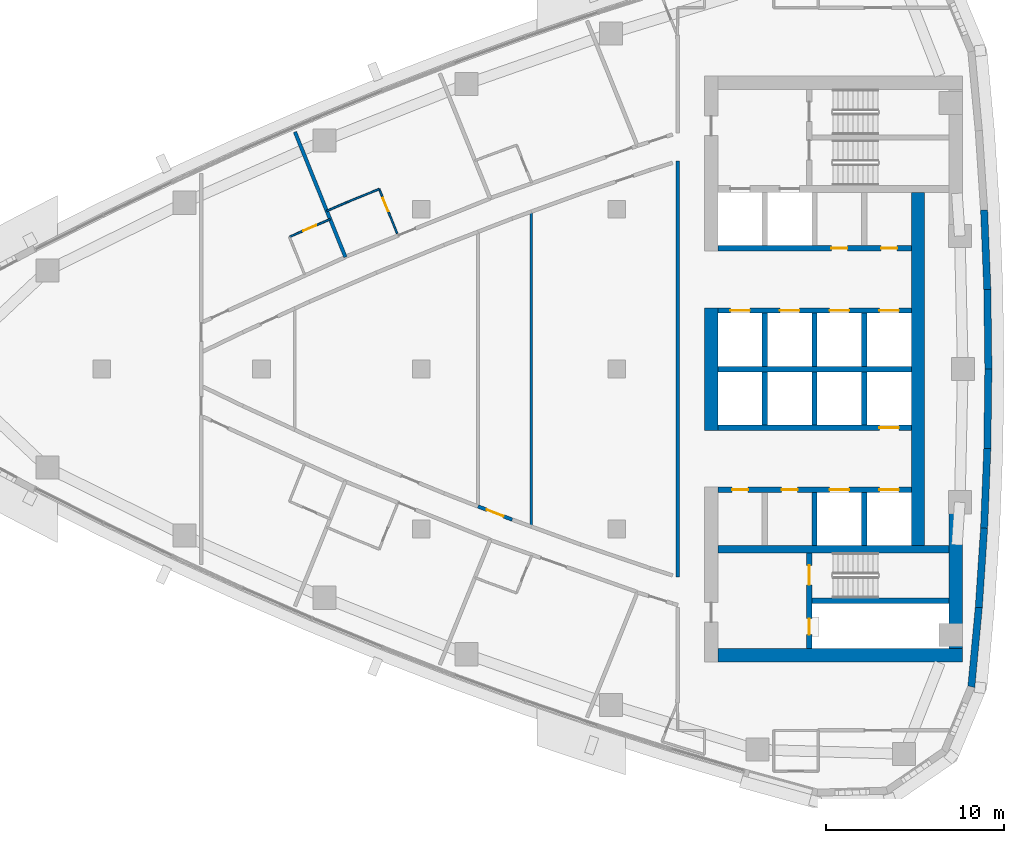
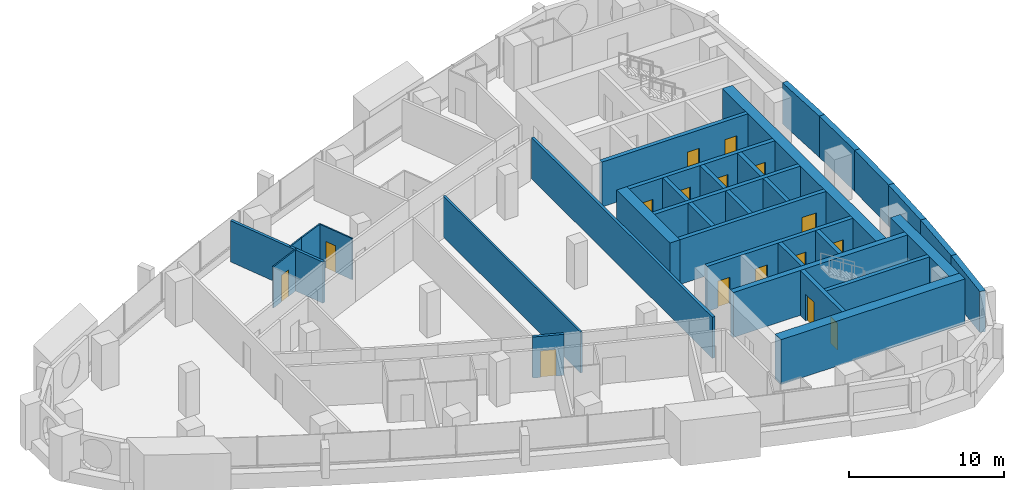
# One storey, part 11 of 17: 34 walls, 16 doors, 16 openings.
"""IFC4 building model written with IfcOpenShell, lengths in metres."""

from ifc_helpers import new_model, si_unit, direction, frame, frame_2d, origin, place, context, subcontext, project, spatial, polyline, rectangle, outline, extrude, material, layer, layer_set, type_object, element, fill, save


model = new_model("IFC4")

# Units and contexts
model_context = context("Model", 3, precision=1e-05, world=origin(), true_north=direction((0.0, 1.0)))
body_context = subcontext(model_context, "Body", "Model", "MODEL_VIEW")
ifc_project = project(units=[si_unit("LENGTHUNIT", "METRE"), si_unit("AREAUNIT", "SQUARE_METRE"), si_unit("VOLUMEUNIT", "CUBIC_METRE"), si_unit("PLANEANGLEUNIT", "RADIAN"), si_unit("MASSUNIT", "GRAM", prefix="KILO")], contexts=[model_context])

# Site, building, storey
site_placement = place(None, origin())
site = spatial("IfcSite", under=ifc_project, at=site_placement, CompositionType="ELEMENT")
building_placement = place(site_placement, origin())
building = spatial("IfcBuilding", under=site, at=building_placement, Name="Ostrand Prow Hotel Tower", CompositionType="ELEMENT")
storey_placement = place(building_placement, frame((0.0, 0.0, 193.25)))
storey = spatial("IfcBuildingStorey", under=building, at=storey_placement, Name="L48", CompositionType="ELEMENT", Elevation=193.25)

# Wall
ifc_material_1 = material(Name="Concrete C60/75", Category="concrete")
ifc_layer_1 = layer(ifc_material_1, 0.300048828125)
ifc_layer_set_1 = layer_set([ifc_layer_1], Name="Concrete C60/75")
wall_type_1 = type_object("IfcWallType", Name="Core wall 300 C60/75", PredefinedType="SHEAR", material=ifc_layer_set_1)
wall_1_placement = place(storey_placement, frame((50.699951171875, 0.0, 0.0), z_axis=(0.0, 0.0, 1.0), x_axis=(1.0, 0.0, 0.0)))
element("IfcWall", 1, at=wall_1_placement, inside=storey, type_object=wall_type_1, Name="Core wall PW-C", PredefinedType="SHEAR", context=body_context, shape_type="SweptSolid", body=[
    extrude(rectangle(XDim=10.900146484375, YDim=0.300048828125, at=frame_2d((5.4501953125, 0.0))), origin(), (0.0, 0.0, 1.0), 3.550048828125),
])

# Wall, openings, doors
wall_2_placement = place(storey_placement, frame((50.699951171875, 3.300048828125, 0.0), z_axis=(0.0, 0.0, 1.0), x_axis=(1.0, 0.0, 0.0)))
wall_2 = element("IfcWall", 2, at=wall_2_placement, inside=storey, type_object=wall_type_1, Name="Core wall PW-L1-N", PredefinedType="SHEAR", context=body_context, shape_type="SweptSolid", body=[
    extrude(rectangle(XDim=10.900146484375, YDim=0.300048828125, at=frame_2d((5.4501953125, 0.0))), origin(), (0.0, 0.0, 1.0), 3.550048828125),
])
opening_1_placement = place(wall_2_placement, frame((0.699951171875, 0.0, 0.0)))
opening_1 = element("IfcOpeningElement", 3, at=opening_1_placement, cuts=wall_2, Name="Opening LD", PredefinedType="OPENING", context=body_context, shape_type="SweptSolid", body=[
    extrude(rectangle(XDim=1.10009765625, YDim=2.10009765625, at=frame_2d((0.550048828125, 1.050048828125))), frame((0.0, 0.159912109375, 0.0), z_axis=(0.0, -1.0, 0.0), x_axis=(1.0, 0.0, 0.0)), (0.0, 0.0, 1.0), 0.320068359375),
])
opening_2_placement = place(wall_2_placement, frame((3.5, 0.0, 0.0)))
opening_2 = element("IfcOpeningElement", 4, at=opening_2_placement, cuts=wall_2, Name="Opening LD", PredefinedType="OPENING", context=body_context, shape_type="SweptSolid", body=[
    extrude(rectangle(XDim=1.10009765625, YDim=2.10009765625, at=frame_2d((0.550048828125, 1.050048828125))), frame((0.0, 0.159912109375, 0.0), z_axis=(0.0, -1.0, 0.0), x_axis=(1.0, 0.0, 0.0)), (0.0, 0.0, 1.0), 0.320068359375),
])
opening_3_placement = place(wall_2_placement, frame((6.300048828125, 0.0, 0.0)))
opening_3 = element("IfcOpeningElement", 5, at=opening_3_placement, cuts=wall_2, Name="Opening LD", PredefinedType="OPENING", context=body_context, shape_type="SweptSolid", body=[
    extrude(rectangle(XDim=1.10009765625, YDim=2.10009765625, at=frame_2d((0.550048828125, 1.050048828125))), frame((0.0, 0.159912109375, 0.0), z_axis=(0.0, -1.0, 0.0), x_axis=(1.0, 0.0, 0.0)), (0.0, 0.0, 1.0), 0.320068359375),
])
opening_4_placement = place(wall_2_placement, frame((9.10009765625, 0.0, 0.0)))
opening_4 = element("IfcOpeningElement", 6, at=opening_4_placement, cuts=wall_2, Name="Opening LD", PredefinedType="OPENING", context=body_context, shape_type="SweptSolid", body=[
    extrude(rectangle(XDim=1.10009765625, YDim=2.10009765625, at=frame_2d((0.550048828125, 1.050048828125))), frame((0.0, 0.159912109375, 0.0), z_axis=(0.0, -1.0, 0.0), x_axis=(1.0, 0.0, 0.0)), (0.0, 0.0, 1.0), 0.320068359375),
])
ifc_material_2 = material(Name="Stainless steel door", Category="steel")
door_type_1 = type_object("IfcDoorType", Name="Lift landing door 1100", OperationType="DOUBLE_DOOR_SLIDING", PredefinedType="DOOR", material=ifc_material_2)
door_1_placement = place(opening_1_placement, origin())
door_1 = element("IfcDoor", 7, at=door_1_placement, inside=storey, type_object=door_type_1, Name="LIFT LANDING DOOR", OperationType="DOUBLE_DOOR_SLIDING", OverallHeight=2.10009765625, OverallWidth=1.10009765625, PredefinedType="DOOR", context=body_context, shape_type="SweptSolid", body=[
    extrude(rectangle(XDim=1.10009765625, YDim=2.10009765625, at=frame_2d((0.550048828125, 1.050048828125))), frame((0.0, 0.02490234375, 0.0), z_axis=(0.0, -1.0, 0.0), x_axis=(1.0, 0.0, 0.0)), (0.0, 0.0, 1.0), 0.050048828125),
])
fill(opening_1, door_1)
door_2_placement = place(opening_2_placement, origin())
door_2 = element("IfcDoor", 8, at=door_2_placement, inside=storey, type_object=door_type_1, Name="LIFT LANDING DOOR", OperationType="DOUBLE_DOOR_SLIDING", OverallHeight=2.10009765625, OverallWidth=1.10009765625, PredefinedType="DOOR", context=body_context, shape_type="SweptSolid", body=[
    extrude(rectangle(XDim=1.10009765625, YDim=2.10009765625, at=frame_2d((0.550048828125, 1.050048828125))), frame((0.0, 0.02490234375, 0.0), z_axis=(0.0, -1.0, 0.0), x_axis=(1.0, 0.0, 0.0)), (0.0, 0.0, 1.0), 0.050048828125),
])
fill(opening_2, door_2)
door_3_placement = place(opening_3_placement, origin())
door_3 = element("IfcDoor", 9, at=door_3_placement, inside=storey, type_object=door_type_1, Name="LIFT LANDING DOOR", OperationType="DOUBLE_DOOR_SLIDING", OverallHeight=2.10009765625, OverallWidth=1.10009765625, PredefinedType="DOOR", context=body_context, shape_type="SweptSolid", body=[
    extrude(rectangle(XDim=1.10009765625, YDim=2.10009765625, at=frame_2d((0.550048828125, 1.050048828125))), frame((0.0, 0.02490234375, 0.0), z_axis=(0.0, -1.0, 0.0), x_axis=(1.0, 0.0, 0.0)), (0.0, 0.0, 1.0), 0.050048828125),
])
fill(opening_3, door_3)
door_4_placement = place(opening_4_placement, origin())
door_4 = element("IfcDoor", 10, at=door_4_placement, inside=storey, type_object=door_type_1, Name="LIFT LANDING DOOR", OperationType="DOUBLE_DOOR_SLIDING", OverallHeight=2.10009765625, OverallWidth=1.10009765625, PredefinedType="DOOR", context=body_context, shape_type="SweptSolid", body=[
    extrude(rectangle(XDim=1.10009765625, YDim=2.10009765625, at=frame_2d((0.550048828125, 1.050048828125))), frame((0.0, 0.02490234375, 0.0), z_axis=(0.0, -1.0, 0.0), x_axis=(1.0, 0.0, 0.0)), (0.0, 0.0, 1.0), 0.050048828125),
])
fill(opening_4, door_4)

wall_3_placement = place(storey_placement, frame((50.699951171875, 6.800048828125, 0.0), z_axis=(0.0, 0.0, 1.0), x_axis=(1.0, 0.0, 0.0)))
wall_3 = element("IfcWall", 11, at=wall_3_placement, inside=storey, type_object=wall_type_1, Name="Core wall PW-L2-N", PredefinedType="SHEAR", context=body_context, shape_type="SweptSolid", body=[
    extrude(rectangle(XDim=10.900146484375, YDim=0.300048828125, at=frame_2d((5.4501953125, 0.0))), origin(), (0.0, 0.0, 1.0), 3.550048828125),
])
opening_5_placement = place(wall_3_placement, frame((6.39990234375, 0.0, 0.0)))
opening_5 = element("IfcOpeningElement", 12, at=opening_5_placement, cuts=wall_3, Name="Opening FD2", PredefinedType="OPENING", context=body_context, shape_type="SweptSolid", body=[
    extrude(rectangle(XDim=0.89990234375, YDim=2.10009765625, at=frame_2d((0.449951171875, 1.050048828125))), frame((0.0, 0.159912109375, 0.0), z_axis=(0.0, -1.0, 0.0), x_axis=(1.0, 0.0, 0.0)), (0.0, 0.0, 1.0), 0.320068359375),
])
opening_6_placement = place(wall_3_placement, frame((9.199951171875, 0.0, 0.0)))
opening_6 = element("IfcOpeningElement", 13, at=opening_6_placement, cuts=wall_3, Name="Opening FD2", PredefinedType="OPENING", context=body_context, shape_type="SweptSolid", body=[
    extrude(rectangle(XDim=0.89990234375, YDim=2.10009765625, at=frame_2d((0.449951171875, 1.050048828125))), frame((0.0, 0.159912109375, 0.0), z_axis=(0.0, -1.0, 0.0), x_axis=(1.0, 0.0, 0.0)), (0.0, 0.0, 1.0), 0.320068359375),
])
ifc_material_3 = material(Name="Steel fire door", Category="steel")
door_type_2 = type_object("IfcDoorType", Name="Fire door 900 EI120", OperationType="SINGLE_SWING_LEFT", PredefinedType="DOOR", material=ifc_material_3)
door_5_placement = place(opening_5_placement, origin())
door_5 = element("IfcDoor", 14, at=door_5_placement, inside=storey, type_object=door_type_2, Name="DOOR", OperationType="SINGLE_SWING_LEFT", OverallHeight=2.10009765625, OverallWidth=0.89990234375, PredefinedType="DOOR", context=body_context, shape_type="SweptSolid", body=[
    extrude(rectangle(XDim=0.89990234375, YDim=2.10009765625, at=frame_2d((0.449951171875, 1.050048828125))), frame((0.0, 0.02490234375, 0.0), z_axis=(0.0, -1.0, 0.0), x_axis=(1.0, 0.0, 0.0)), (0.0, 0.0, 1.0), 0.050048828125),
])
fill(opening_5, door_5)
door_6_placement = place(opening_6_placement, origin())
door_6 = element("IfcDoor", 15, at=door_6_placement, inside=storey, type_object=door_type_2, Name="DOOR", OperationType="SINGLE_SWING_LEFT", OverallHeight=2.10009765625, OverallWidth=0.89990234375, PredefinedType="DOOR", context=body_context, shape_type="SweptSolid", body=[
    extrude(rectangle(XDim=0.89990234375, YDim=2.10009765625, at=frame_2d((0.449951171875, 1.050048828125))), frame((0.0, 0.02490234375, 0.0), z_axis=(0.0, -1.0, 0.0), x_axis=(1.0, 0.0, 0.0)), (0.0, 0.0, 1.0), 0.050048828125),
])
fill(opening_6, door_6)

# Walls
for number, where, z_axis, x_axis, name in (
    (16, (53.35009765625, 0.14990234375, 0.0), (0.0, 0.0, 1.0), (0.0, 1.0, 0.0), "Core wall PW-R1-NB"),
    (17, (56.14990234375, 0.14990234375, 0.0), (0.0, 0.0, 1.0), (0.0, 1.0, 0.0), "Core wall PW-R2-NB"),
    (18, (58.949951171875, 0.14990234375, 0.0), (0.0, 0.0, 1.0), (0.0, 1.0, 0.0), "Core wall PW-R3-NB"),
):
    element("IfcWall", number, at=place(storey_placement, frame(where, z_axis=z_axis, x_axis=x_axis)), inside=storey, type_object=wall_type_1, Name=name, PredefinedType="SHEAR", context=body_context, shape_type="SweptSolid", body=[
        extrude(rectangle(XDim=3.0, YDim=0.300048828125, at=frame_2d((1.5, 0.0))), origin(), (0.0, 0.0, 1.0), 3.550048828125),
    ])

# Wall, opening, door
wall_4_placement = place(storey_placement, frame((50.699951171875, -3.300048828125, 0.0), z_axis=(0.0, 0.0, 1.0), x_axis=(1.0, 0.0, 0.0)))
wall_4 = element("IfcWall", 19, at=wall_4_placement, inside=storey, type_object=wall_type_1, Name="Core wall PW-L1-S", PredefinedType="SHEAR", context=body_context, shape_type="SweptSolid", body=[
    extrude(rectangle(XDim=10.900146484375, YDim=0.300048828125, at=frame_2d((5.4501953125, 0.0))), origin(), (0.0, 0.0, 1.0), 3.550048828125),
])
opening_7_placement = place(wall_4_placement, frame((9.10009765625, 0.0, 0.0)))
opening_7 = element("IfcOpeningElement", 20, at=opening_7_placement, cuts=wall_4, Name="Opening LD", PredefinedType="OPENING", context=body_context, shape_type="SweptSolid", body=[
    extrude(rectangle(XDim=1.10009765625, YDim=2.10009765625, at=frame_2d((0.550048828125, 1.050048828125))), frame((0.0, 0.159912109375, 0.0), z_axis=(0.0, -1.0, 0.0), x_axis=(1.0, 0.0, 0.0)), (0.0, 0.0, 1.0), 0.320068359375),
])
door_7_placement = place(opening_7_placement, origin())
door_7 = element("IfcDoor", 21, at=door_7_placement, inside=storey, type_object=door_type_1, Name="LIFT LANDING DOOR", OperationType="DOUBLE_DOOR_SLIDING", OverallHeight=2.10009765625, OverallWidth=1.10009765625, PredefinedType="DOOR", context=body_context, shape_type="SweptSolid", body=[
    extrude(rectangle(XDim=1.10009765625, YDim=2.10009765625, at=frame_2d((0.550048828125, 1.050048828125))), frame((0.0, 0.02490234375, 0.0), z_axis=(0.0, -1.0, 0.0), x_axis=(1.0, 0.0, 0.0)), (0.0, 0.0, 1.0), 0.050048828125),
])
fill(opening_7, door_7)

# Wall, openings, doors
wall_5_placement = place(storey_placement, frame((50.699951171875, -6.800048828125, 0.0), z_axis=(0.0, 0.0, 1.0), x_axis=(1.0, 0.0, 0.0)))
wall_5 = element("IfcWall", 22, at=wall_5_placement, inside=storey, type_object=wall_type_1, Name="Core wall PW-L2-S", PredefinedType="SHEAR", context=body_context, shape_type="SweptSolid", body=[
    extrude(rectangle(XDim=10.900146484375, YDim=0.300048828125, at=frame_2d((5.4501953125, 0.0))), origin(), (0.0, 0.0, 1.0), 3.550048828125),
])
opening_8_placement = place(wall_5_placement, frame((6.300048828125, 0.0, 0.0)))
opening_8 = element("IfcOpeningElement", 23, at=opening_8_placement, cuts=wall_5, Name="Opening LD", PredefinedType="OPENING", context=body_context, shape_type="SweptSolid", body=[
    extrude(rectangle(XDim=1.10009765625, YDim=2.10009765625, at=frame_2d((0.550048828125, 1.050048828125))), frame((0.0, 0.159912109375, 0.0), z_axis=(0.0, -1.0, 0.0), x_axis=(1.0, 0.0, 0.0)), (0.0, 0.0, 1.0), 0.320068359375),
])
opening_9_placement = place(wall_5_placement, frame((9.10009765625, 0.0, 0.0)))
opening_9 = element("IfcOpeningElement", 24, at=opening_9_placement, cuts=wall_5, Name="Opening LD", PredefinedType="OPENING", context=body_context, shape_type="SweptSolid", body=[
    extrude(rectangle(XDim=1.10009765625, YDim=2.10009765625, at=frame_2d((0.550048828125, 1.050048828125))), frame((0.0, 0.159912109375, 0.0), z_axis=(0.0, -1.0, 0.0), x_axis=(1.0, 0.0, 0.0)), (0.0, 0.0, 1.0), 0.320068359375),
])
opening_10_placement = place(wall_5_placement, frame((0.800048828125, 0.0, 0.0)))
opening_10 = element("IfcOpeningElement", 25, at=opening_10_placement, cuts=wall_5, Name="Opening FD2", PredefinedType="OPENING", context=body_context, shape_type="SweptSolid", body=[
    extrude(rectangle(XDim=0.89990234375, YDim=2.10009765625, at=frame_2d((0.449951171875, 1.050048828125))), frame((0.0, 0.159912109375, 0.0), z_axis=(0.0, -1.0, 0.0), x_axis=(1.0, 0.0, 0.0)), (0.0, 0.0, 1.0), 0.320068359375),
])
opening_11_placement = place(wall_5_placement, frame((3.60009765625, 0.0, 0.0)))
opening_11 = element("IfcOpeningElement", 26, at=opening_11_placement, cuts=wall_5, Name="Opening FD2", PredefinedType="OPENING", context=body_context, shape_type="SweptSolid", body=[
    extrude(rectangle(XDim=0.89990234375, YDim=2.10009765625, at=frame_2d((0.449951171875, 1.050048828125))), frame((0.0, 0.159912109375, 0.0), z_axis=(0.0, -1.0, 0.0), x_axis=(1.0, 0.0, 0.0)), (0.0, 0.0, 1.0), 0.320068359375),
])
door_8_placement = place(opening_10_placement, origin())
door_8 = element("IfcDoor", 27, at=door_8_placement, inside=storey, type_object=door_type_2, Name="DOOR", OperationType="SINGLE_SWING_LEFT", OverallHeight=2.10009765625, OverallWidth=0.89990234375, PredefinedType="DOOR", context=body_context, shape_type="SweptSolid", body=[
    extrude(rectangle(XDim=0.89990234375, YDim=2.10009765625, at=frame_2d((0.449951171875, 1.050048828125))), frame((0.0, 0.02490234375, 0.0), z_axis=(0.0, -1.0, 0.0), x_axis=(1.0, 0.0, 0.0)), (0.0, 0.0, 1.0), 0.050048828125),
])
fill(opening_10, door_8)
door_9_placement = place(opening_11_placement, origin())
door_9 = element("IfcDoor", 28, at=door_9_placement, inside=storey, type_object=door_type_2, Name="DOOR", OperationType="SINGLE_SWING_LEFT", OverallHeight=2.10009765625, OverallWidth=0.89990234375, PredefinedType="DOOR", context=body_context, shape_type="SweptSolid", body=[
    extrude(rectangle(XDim=0.89990234375, YDim=2.10009765625, at=frame_2d((0.449951171875, 1.050048828125))), frame((0.0, 0.02490234375, 0.0), z_axis=(0.0, -1.0, 0.0), x_axis=(1.0, 0.0, 0.0)), (0.0, 0.0, 1.0), 0.050048828125),
])
fill(opening_11, door_9)
door_10_placement = place(opening_8_placement, origin())
door_10 = element("IfcDoor", 29, at=door_10_placement, inside=storey, type_object=door_type_1, Name="LIFT LANDING DOOR", OperationType="DOUBLE_DOOR_SLIDING", OverallHeight=2.10009765625, OverallWidth=1.10009765625, PredefinedType="DOOR", context=body_context, shape_type="SweptSolid", body=[
    extrude(rectangle(XDim=1.10009765625, YDim=2.10009765625, at=frame_2d((0.550048828125, 1.050048828125))), frame((0.0, 0.02490234375, 0.0), z_axis=(0.0, -1.0, 0.0), x_axis=(1.0, 0.0, 0.0)), (0.0, 0.0, 1.0), 0.050048828125),
])
fill(opening_8, door_10)
door_11_placement = place(opening_9_placement, origin())
door_11 = element("IfcDoor", 30, at=door_11_placement, inside=storey, type_object=door_type_1, Name="LIFT LANDING DOOR", OperationType="DOUBLE_DOOR_SLIDING", OverallHeight=2.10009765625, OverallWidth=1.10009765625, PredefinedType="DOOR", context=body_context, shape_type="SweptSolid", body=[
    extrude(rectangle(XDim=1.10009765625, YDim=2.10009765625, at=frame_2d((0.550048828125, 1.050048828125))), frame((0.0, 0.02490234375, 0.0), z_axis=(0.0, -1.0, 0.0), x_axis=(1.0, 0.0, 0.0)), (0.0, 0.0, 1.0), 0.050048828125),
])
fill(opening_9, door_11)

# Walls
for number, where, z_axis, x_axis, name in (
    (31, (53.35009765625, -3.14990234375, 0.0), (0.0, 0.0, 1.0), (0.0, 1.0, 0.0), "Core wall PW-R1-SB"),
    (32, (56.14990234375, -3.14990234375, 0.0), (0.0, 0.0, 1.0), (0.0, 1.0, 0.0), "Core wall PW-R2-SB"),
    (33, (56.14990234375, -9.949951171875, 0.0), (0.0, 0.0, 1.0), (0.0, 1.0, 0.0), "Core wall PW-R2-SA"),
    (34, (58.949951171875, -3.14990234375, 0.0), (0.0, 0.0, 1.0), (0.0, 1.0, 0.0), "Core wall PW-R3-SB"),
    (35, (58.949951171875, -9.949951171875, 0.0), (0.0, 0.0, 1.0), (0.0, 1.0, 0.0), "Core wall PW-R3-SA"),
):
    element("IfcWall", number, at=place(storey_placement, frame(where, z_axis=z_axis, x_axis=x_axis)), inside=storey, type_object=wall_type_1, Name=name, PredefinedType="SHEAR", context=body_context, shape_type="SweptSolid", body=[
        extrude(rectangle(XDim=3.0, YDim=0.300048828125, at=frame_2d((1.5, 0.0))), origin(), (0.0, 0.0, 1.0), 3.550048828125),
    ])

# Wall, openings, doors
wall_6_placement = place(storey_placement, frame((55.85009765625, -15.75, 0.0), z_axis=(0.0, 0.0, 1.0), x_axis=(0.0, 1.0, 0.0)))
wall_6 = element("IfcWall", 36, at=wall_6_placement, inside=storey, type_object=wall_type_1, Name="Core wall PW-VS", PredefinedType="SHEAR", context=body_context, shape_type="SweptSolid", body=[
    extrude(rectangle(XDim=5.39990234375, YDim=0.300048828125, at=frame_2d((2.699951171875, 0.0))), origin(), (0.0, 0.0, 1.0), 3.550048828125),
])
opening_12_placement = place(wall_6_placement, frame((3.60009765625, 0.0, 0.0)))
opening_12 = element("IfcOpeningElement", 37, at=opening_12_placement, cuts=wall_6, Name="Opening FD1", PredefinedType="OPENING", context=body_context, shape_type="SweptSolid", body=[
    extrude(rectangle(XDim=1.10009765625, YDim=2.10009765625, at=frame_2d((0.550048828125, 1.050048828125))), frame((0.0, 0.159912109375, 0.0), z_axis=(0.0, -1.0, 0.0), x_axis=(1.0, 0.0, 0.0)), (0.0, 0.0, 1.0), 0.320068359375),
])
opening_13_placement = place(wall_6_placement, frame((0.800048828125, 0.0, 0.0)))
opening_13 = element("IfcOpeningElement", 38, at=opening_13_placement, cuts=wall_6, Name="Opening FD2", PredefinedType="OPENING", context=body_context, shape_type="SweptSolid", body=[
    extrude(rectangle(XDim=0.89990234375, YDim=2.10009765625, at=frame_2d((0.449951171875, 1.050048828125))), frame((0.0, 0.159912109375, 0.0), z_axis=(0.0, -1.0, 0.0), x_axis=(1.0, 0.0, 0.0)), (0.0, 0.0, 1.0), 0.320068359375),
])
ifc_material_4 = material(Name="Steel fire door", Category="steel")
door_type_3 = type_object("IfcDoorType", Name="Fire door 1100 EI120", OperationType="SINGLE_SWING_RIGHT", PredefinedType="DOOR", material=ifc_material_4)
door_12_placement = place(opening_12_placement, origin())
door_12 = element("IfcDoor", 39, at=door_12_placement, inside=storey, type_object=door_type_3, Name="FIRE DOOR", OperationType="SINGLE_SWING_RIGHT", OverallHeight=2.10009765625, OverallWidth=1.10009765625, PredefinedType="DOOR", context=body_context, shape_type="SweptSolid", body=[
    extrude(rectangle(XDim=1.10009765625, YDim=2.10009765625, at=frame_2d((0.550048828125, 1.050048828125))), frame((0.0, 0.02490234375, 0.0), z_axis=(0.0, -1.0, 0.0), x_axis=(1.0, 0.0, 0.0)), (0.0, 0.0, 1.0), 0.050048828125),
])
fill(opening_12, door_12)
door_13_placement = place(opening_13_placement, origin())
door_13 = element("IfcDoor", 40, at=door_13_placement, inside=storey, type_object=door_type_2, Name="FIRE DOOR", OperationType="SINGLE_SWING_LEFT", OverallHeight=2.10009765625, OverallWidth=0.89990234375, PredefinedType="DOOR", context=body_context, shape_type="SweptSolid", body=[
    extrude(rectangle(XDim=0.89990234375, YDim=2.10009765625, at=frame_2d((0.449951171875, 1.050048828125))), frame((0.0, 0.02490234375, 0.0), z_axis=(0.0, -1.0, 0.0), x_axis=(1.0, 0.0, 0.0)), (0.0, 0.0, 1.0), 0.050048828125),
])
fill(opening_13, door_13)

# Walls
wall_7_placement = place(storey_placement, frame((56.0, -13.050048828125, 0.0), z_axis=(0.0, 0.0, 1.0), x_axis=(1.0, 0.0, 0.0)))
element("IfcWall", 41, at=wall_7_placement, inside=storey, type_object=wall_type_1, Name="Core wall PW-ST2R", PredefinedType="SHEAR", context=body_context, shape_type="SweptSolid", body=[
    extrude(rectangle(XDim=7.719970703125, YDim=0.300048828125, at=frame_2d((3.85986328125, 0.0))), origin(), (0.0, 0.0, 1.0), 3.550048828125),
])
ifc_material_5 = material(Name="Concrete C60/75", Category="concrete")
ifc_layer_2 = layer(ifc_material_5, 0.39990234375)
ifc_layer_set_2 = layer_set([ifc_layer_2], Name="Concrete C60/75")
wall_type_2 = type_object("IfcWallType", Name="Core wall 400 C60/75", PredefinedType="SHEAR", material=ifc_layer_set_2)
wall_8_placement = place(storey_placement, frame((50.699951171875, -10.14990234375, 0.0), z_axis=(0.0, 0.0, 1.0), x_axis=(1.0, 0.0, 0.0)))
element("IfcWall", 42, at=wall_8_placement, inside=storey, type_object=wall_type_2, Name="Core wall PW-BS", PredefinedType="SHEAR", context=body_context, shape_type="SweptSolid", body=[
    extrude(rectangle(XDim=13.02001953125, YDim=0.39990234375, at=frame_2d((6.510009765625, 0.0))), origin(), (0.0, 0.0, 1.0), 3.550048828125),
])
ifc_material_6 = material(Name="Concrete C60/75", Category="concrete")
ifc_layer_3 = layer(ifc_material_6, 0.75)
ifc_layer_set_3 = layer_set([ifc_layer_3], Name="Concrete C60/75")
wall_type_3 = type_object("IfcWallType", Name="Core wall 750 C60/75", PredefinedType="SHEAR", material=ifc_layer_set_3)
wall_9_placement = place(storey_placement, frame((50.324951171875, -3.449951171875, 0.0), z_axis=(0.0, 0.0, 1.0), x_axis=(0.0, 1.0, 0.0)))
element("IfcWall", 43, at=wall_9_placement, inside=storey, type_object=wall_type_3, Name="Core wall CW-W-C", PredefinedType="SHEAR", context=body_context, shape_type="SweptSolid", body=[
    extrude(rectangle(XDim=6.89990234375, YDim=0.75, at=frame_2d((3.449951171875, 0.0))), origin(), (0.0, 0.0, 1.0), 3.550048828125),
])
wall_10_placement = place(storey_placement, frame((50.699951171875, -16.125, 0.0), z_axis=(0.0, 0.0, 1.0), x_axis=(1.0, 0.0, 0.0)))
element("IfcWall", 44, at=wall_10_placement, inside=storey, type_object=wall_type_3, Name="Core wall CW-S", PredefinedType="SHEAR", context=body_context, shape_type="SweptSolid", body=[
    extrude(rectangle(XDim=13.77001953125, YDim=0.75, at=frame_2d((6.885009765625, 0.0))), origin(), (0.0, 0.0, 1.0), 3.550048828125),
])
wall_11_placement = place(storey_placement, frame((64.094970703125, -15.75, 0.0), z_axis=(0.0, 0.0, 1.0), x_axis=(0.0, 1.0, 0.0)))
element("IfcWall", 45, at=wall_11_placement, inside=storey, type_object=wall_type_3, Name="Core wall CW-E-S", PredefinedType="SHEAR", context=body_context, shape_type="SweptSolid", body=[
    extrude(rectangle(XDim=7.65087890625, YDim=0.75, at=frame_2d((3.825439453125, 0.0))), origin(), (0.0, 0.0, 1.0), 3.550048828125),
])
wall_12_placement = place(storey_placement, frame((61.97509765625, -9.949951171875, 0.0), z_axis=(0.0, 0.0, 1.0), x_axis=(0.0, 1.0, 0.0)))
element("IfcWall", 46, at=wall_12_placement, inside=storey, type_object=wall_type_3, Name="Core wall CW-E-C", PredefinedType="SHEAR", context=body_context, shape_type="SweptSolid", body=[
    extrude(rectangle(XDim=19.89990234375, YDim=0.75, at=frame_2d((9.949951171875, 0.0))), origin(), (0.0, 0.0, 1.0), 3.550048828125),
])

# Wall, opening, door
ifc_material_7 = material(Name="Plasterboard partition")
ifc_layer_4 = layer(ifc_material_7, 0.10009765625)
ifc_layer_set_4 = layer_set([ifc_layer_4], Name="Plasterboard partition")
wall_type_4 = type_object("IfcWallType", Name="Partition 100 bathroom wall", PredefinedType="PARTITIONING", material=ifc_layer_set_4)
wall_13_placement = place(storey_placement, frame((26.5673828125, 7.44873046875, 0.0), z_axis=(0.0, 0.0, 1.0), x_axis=(0.917363173809, 0.398051262199, 0.0)))
wall_13 = element("IfcWall", 47, at=wall_13_placement, inside=storey, type_object=wall_type_4, Name="BATHROOM WALL", PredefinedType="PARTITIONING", context=body_context, shape_type="SweptSolid", body=[
    extrude(rectangle(XDim=2.50048828125, YDim=0.10009765625, at=frame_2d((1.250244140625, 0.0))), origin(), (0.0, 0.0, 1.0), 3.25),
])
opening_14_placement = place(wall_13_placement, frame((0.85009765625, 0.0, 0.0)))
opening_14 = element("IfcOpeningElement", 48, at=opening_14_placement, cuts=wall_13, Name="Opening D2", PredefinedType="OPENING", context=body_context, shape_type="SweptSolid", body=[
    extrude(rectangle(XDim=0.800048828125, YDim=2.10009765625, at=frame_2d((0.39990234375, 1.050048828125))), frame((0.0, 0.06005859375, 0.0), z_axis=(0.0, -1.0, 0.0), x_axis=(1.0, 0.0, 0.0)), (0.0, 0.0, 1.0), 0.1201171875),
])
ifc_material_8 = material(Name="Timber door leaf", Category="wood")
door_type_4 = type_object("IfcDoorType", Name="Bathroom door 800", OperationType="SINGLE_SWING_LEFT", PredefinedType="DOOR", material=ifc_material_8)
door_14_placement = place(opening_14_placement, origin())
door_14 = element("IfcDoor", 49, at=door_14_placement, inside=storey, type_object=door_type_4, Name="DOOR", OperationType="SINGLE_SWING_LEFT", OverallHeight=2.10009765625, OverallWidth=0.800048828125, PredefinedType="DOOR", context=body_context, shape_type="SweptSolid", body=[
    extrude(rectangle(XDim=0.800048828125, YDim=2.10009765625, at=frame_2d((0.39990234375, 1.050048828125))), frame((0.0, 0.02490234375, 0.0), z_axis=(0.0, -1.0, 0.0), x_axis=(1.0, 0.0, 0.0)), (0.0, 0.0, 1.0), 0.050048828125),
])
fill(opening_14, door_14)

# Walls
wall_14_placement = place(storey_placement, frame((28.674560546875, 8.907958984375, 0.0), z_axis=(0.0, 0.0, 1.0), x_axis=(0.917378066425, 0.398016938386, 0.0)))
element("IfcWall", 50, at=wall_14_placement, inside=storey, type_object=wall_type_4, Name="BATHROOM WALL", PredefinedType="PARTITIONING", context=body_context, shape_type="SweptSolid", body=[
    extrude(rectangle(XDim=1.22119140625, YDim=0.10009765625, at=frame_2d((0.610595703125, 0.0))), origin(), (0.0, 0.0, 1.0), 3.25),
])
wall_15_placement = place(storey_placement, frame((29.794921875, 9.39404296875, 0.0), z_axis=(0.0, 0.0, 1.0), x_axis=(0.925208599746, 0.379458887043, 0.0)))
element("IfcWall", 51, at=wall_15_placement, inside=storey, type_object=wall_type_4, Name="BATHROOM WALL", PredefinedType="PARTITIONING", context=body_context, shape_type="SweptSolid", body=[
    extrude(rectangle(XDim=1.97900390625, YDim=0.10009765625, at=frame_2d((0.989501953125, 0.0))), origin(), (0.0, 0.0, 1.0), 3.25),
])

# Wall, opening, door
wall_16_placement = place(storey_placement, frame((31.6259765625, 10.14501953125, 0.0), z_axis=(0.0, 0.0, 1.0), x_axis=(0.373933172856, -0.927455649742, 0.0)))
wall_16 = element("IfcWall", 52, at=wall_16_placement, inside=storey, type_object=wall_type_4, Name="BATHROOM WALL", PredefinedType="PARTITIONING", context=body_context, shape_type="SweptSolid", body=[
    extrude(rectangle(XDim=2.697021484375, YDim=0.10009765625, at=frame_2d((1.3486328125, 0.0))), origin(), (0.0, 0.0, 1.0), 3.25),
])
opening_15_placement = place(wall_16_placement, frame((0.550048828125, 0.0, 0.0)))
opening_15 = element("IfcOpeningElement", 53, at=opening_15_placement, cuts=wall_16, Name="Opening D2", PredefinedType="OPENING", context=body_context, shape_type="SweptSolid", body=[
    extrude(rectangle(XDim=0.800048828125, YDim=2.10009765625, at=frame_2d((0.39990234375, 1.050048828125))), frame((0.0, 0.06005859375, 0.0), z_axis=(0.0, -1.0, 0.0), x_axis=(1.0, 0.0, 0.0)), (0.0, 0.0, 1.0), 0.1201171875),
])
door_15_placement = place(opening_15_placement, origin())
door_15 = element("IfcDoor", 54, at=door_15_placement, inside=storey, type_object=door_type_4, Name="DOOR", OperationType="SINGLE_SWING_LEFT", OverallHeight=2.10009765625, OverallWidth=0.800048828125, PredefinedType="DOOR", context=body_context, shape_type="SweptSolid", body=[
    extrude(rectangle(XDim=0.800048828125, YDim=2.10009765625, at=frame_2d((0.39990234375, 1.050048828125))), frame((0.0, 0.02490234375, 0.0), z_axis=(0.0, -1.0, 0.0), x_axis=(1.0, 0.0, 0.0)), (0.0, 0.0, 1.0), 0.050048828125),
])
fill(opening_15, door_15)

# Wall
ifc_material_9 = material(Name="Plasterboard partition")
ifc_layer_5 = layer(ifc_material_9, 0.14990234375)
ifc_layer_set_5 = layer_set([ifc_layer_5], Name="Plasterboard partition")
wall_type_5 = type_object("IfcWallType", Name="Partition 150 room partition", PredefinedType="PARTITIONING", material=ifc_layer_set_5)
wall_17_placement = place(storey_placement, frame((40.1904296875, -8.87060546875, 0.0), z_axis=(0.0, 0.0, 1.0), x_axis=(0.0, 1.0, 0.0)))
element("IfcWall", 55, at=wall_17_placement, inside=storey, type_object=wall_type_5, Name="ROOM PARTITION", PredefinedType="PARTITIONING", context=body_context, shape_type="SweptSolid", body=[
    extrude(rectangle(XDim=17.7412109375, YDim=0.14990234375, at=frame_2d((8.87060546875, 0.0))), origin(), (0.0, 0.0, 1.0), 3.25),
])

# Wall, opening, door
ifc_material_10 = material(Name="Plasterboard partition")
ifc_layer_6 = layer(ifc_material_10, 0.199951171875)
ifc_layer_set_6 = layer_set([ifc_layer_6], Name="Plasterboard partition")
wall_type_6 = type_object("IfcWallType", Name="Partition 200 corridor wall", PredefinedType="PARTITIONING", material=ifc_layer_set_6)
wall_18_placement = place(storey_placement, frame((39.115478515625, -8.4794921875, 0.0), z_axis=(0.0, 0.0, 1.0), x_axis=(-0.9326579855, 0.360761807961, 0.0)))
wall_18 = element("IfcWall", 56, at=wall_18_placement, inside=storey, type_object=wall_type_6, Name="CORRIDOR WALL", PredefinedType="PARTITIONING", context=body_context, shape_type="SweptSolid", body=[
    extrude(rectangle(XDim=2.06396484375, YDim=0.199951171875, at=frame_2d((1.031982421875, 0.0))), origin(), (0.0, 0.0, 1.0), 3.25),
])
opening_16_placement = place(wall_18_placement, frame((0.531982421875, 0.0, 0.0)))
opening_16 = element("IfcOpeningElement", 57, at=opening_16_placement, cuts=wall_18, Name="Opening D1", PredefinedType="OPENING", context=body_context, shape_type="SweptSolid", body=[
    extrude(rectangle(XDim=1.0, YDim=2.10009765625, at=frame_2d((0.5, 1.050048828125))), frame((0.0, 0.10986328125, 0.0), z_axis=(0.0, -1.0, 0.0), x_axis=(1.0, 0.0, 0.0)), (0.0, 0.0, 1.0), 0.219970703125),
])
ifc_material_11 = material(Name="Timber door leaf", Category="wood")
door_type_5 = type_object("IfcDoorType", Name="Guest room door 1000", OperationType="SINGLE_SWING_LEFT", PredefinedType="DOOR", material=ifc_material_11)
door_16_placement = place(opening_16_placement, origin())
door_16 = element("IfcDoor", 58, at=door_16_placement, inside=storey, type_object=door_type_5, Name="DOOR", OperationType="SINGLE_SWING_LEFT", OverallHeight=2.10009765625, OverallWidth=1.0, PredefinedType="DOOR", context=body_context, shape_type="SweptSolid", body=[
    extrude(rectangle(XDim=1.0, YDim=2.10009765625, at=frame_2d((0.5, 1.050048828125))), frame((0.0, 0.02490234375, 0.0), z_axis=(0.0, -1.0, 0.0), x_axis=(1.0, 0.0, 0.0)), (0.0, 0.0, 1.0), 0.050048828125),
])
fill(opening_16, door_16)

# Walls
wall_19_placement = place(storey_placement, frame((48.445068359375, 11.7099609375, 0.0), z_axis=(0.0, 0.0, 1.0), x_axis=(0.0, -1.0, 0.0)))
element("IfcWall", 59, at=wall_19_placement, inside=storey, type_object=wall_type_6, Name="CORRIDOR WALL", PredefinedType="PARTITIONING", context=body_context, shape_type="SweptSolid", body=[
    extrude(rectangle(XDim=23.419921875, YDim=0.199951171875, at=frame_2d((11.7099609375, 0.0))), origin(), (0.0, 0.0, 1.0), 3.25),
])
ifc_material_12 = material(Name="Plasterboard partition")
ifc_layer_7 = layer(ifc_material_12, 0.199951171875)
ifc_layer_set_7 = layer_set([ifc_layer_7], Name="Plasterboard partition")
wall_type_7 = type_object("IfcWallType", Name="Partition 200 key partition", PredefinedType="PARTITIONING", material=ifc_layer_set_7)
wall_20_placement = place(storey_placement, frame((29.7216796875, 6.31005859375, 0.0), z_axis=(0.0, 0.0, 1.0), x_axis=(-0.37388636046, 0.927474522271, 0.0)))
element("IfcWall", 60, at=wall_20_placement, inside=storey, type_object=wall_type_7, Name="KEY PARTITION", PredefinedType="PARTITIONING", context=body_context, shape_type="SweptSolid", body=[
    extrude(rectangle(XDim=7.6025390625, YDim=0.199951171875, at=frame_2d((3.80126953125, 0.0))), origin(), (0.0, 0.0, 1.0), 3.25),
])
ifc_material_13 = material(Name="Precast concrete C40/50", Category="concrete")
ifc_layer_8 = layer(ifc_material_13, 0.39990234375)
ifc_layer_set_8 = layer_set([ifc_layer_8], Name="Precast concrete C40/50")
wall_type_8 = type_object("IfcWallType", Name="Stone-faced precast wall 400 mm", PredefinedType="NOTDEFINED", material=ifc_layer_set_8)
wall_21_placement = place(storey_placement, frame((64.981201171875, -17.889892578125, 0.0), z_axis=(0.0, 0.0, 1.0), x_axis=(0.093605694738, 0.995609348044, 0.0)))
element("IfcWall", 61, at=wall_21_placement, inside=storey, type_object=wall_type_8, Name="Stone-faced wall back 5", PredefinedType="NOTDEFINED", context=body_context, shape_type="SweptSolid", body=[
    extrude(outline(polyline([(-0.0302734375, -0.199951171875), (4.483642578125, -0.199951171875), (4.478271484375, 0.199951171875), (0.0302734375, 0.199951171875), (-0.0302734375, -0.199951171875)])), origin(), (0.0, 0.0, 1.0), 3.25),
])
for number, where, z_axis, x_axis, name in (
    (62, (65.400634765625, -13.4287109375, 0.0), (0.0, 0.0, 1.0), (0.066905935948, 0.997759287471, 0.0), "Stone-faced wall back 6"),
    (63, (65.700439453125, -8.957763671875, 0.0), (0.0, 0.0, 1.0), (0.040155165338, 0.999193456092, 0.0), "Stone-faced wall back 7"),
    (64, (65.88037109375, -4.48046875, 0.0), (0.0, 0.0, 1.0), (0.013348854104, 0.999910900078, 0.0), "Stone-faced wall back 8"),
    (65, (65.940185546875, 0.0, 0.0), (0.0, 0.0, 1.0), (-0.013348854104, 0.999910900078, 0.0), "Stone-faced wall back 9"),
    (66, (65.88037109375, 4.48046875, 0.0), (0.0, 0.0, 1.0), (-0.040155165338, 0.999193456092, 0.0), "Stone-faced wall back 10"),
):
    element("IfcWall", number, at=place(storey_placement, frame(where, z_axis=z_axis, x_axis=x_axis)), inside=storey, type_object=wall_type_8, Name=name, PredefinedType="NOTDEFINED", context=body_context, shape_type="SweptSolid", body=[
        extrude(outline(polyline([(-0.002685546875, -0.199951171875), (4.483642578125, -0.199951171875), (4.478271484375, 0.199951171875), (0.002685546875, 0.199951171875), (-0.002685546875, -0.199951171875)])), origin(), (0.0, 0.0, 1.0), 3.25),
    ])

save(model, "model.ifc")
